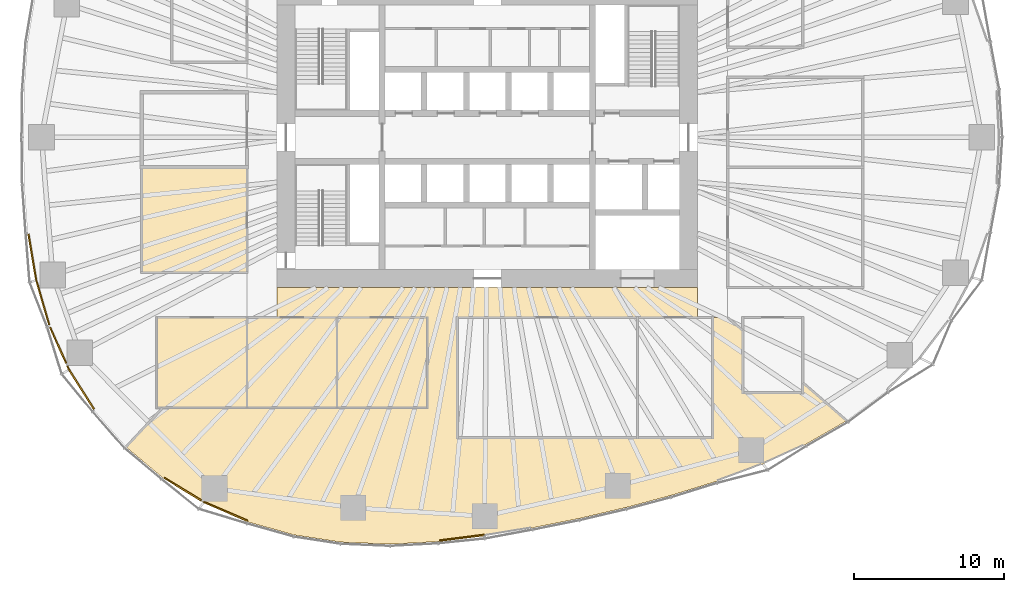
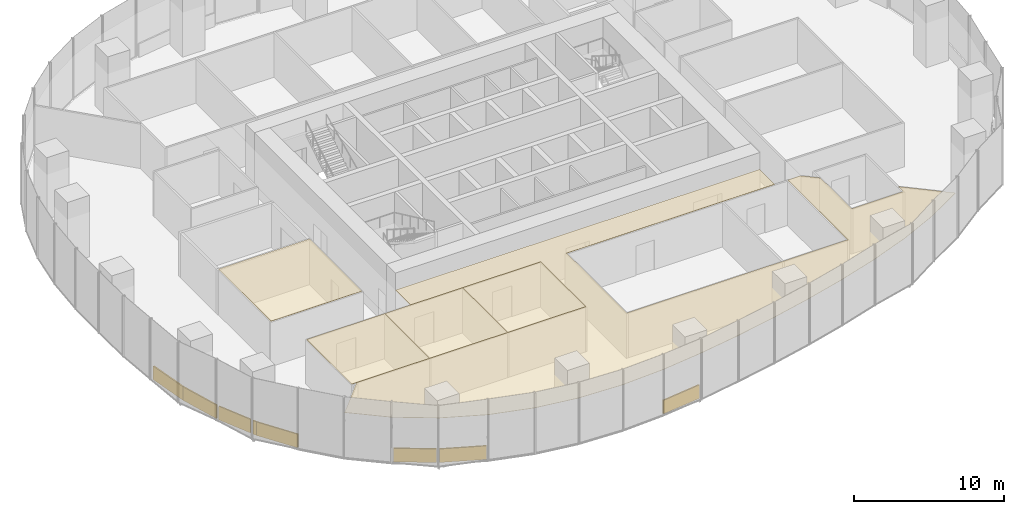
# One storey, part 17 of 20: 13 coverings.
"""IFC4 building model written with IfcOpenShell, lengths in metres."""

from ifc_helpers import new_model, si_unit, direction, frame, origin, origin_2d, place, context, subcontext, project, spatial, polyline, rectangle, outline, extrude, material, layer, layer_set, type_object, element, save


model = new_model("IFC4")

# Units and contexts
model_context = context("Model", 3, precision=1e-05, world=origin(), true_north=direction((0.0, 1.0)))
body_context = subcontext(model_context, "Body", "Model", "MODEL_VIEW")
ifc_project = project(units=[si_unit("LENGTHUNIT", "METRE"), si_unit("AREAUNIT", "SQUARE_METRE"), si_unit("VOLUMEUNIT", "CUBIC_METRE"), si_unit("PLANEANGLEUNIT", "RADIAN"), si_unit("MASSUNIT", "GRAM", prefix="KILO")], contexts=[model_context])

# Site, building, storey
site_placement = place(None, origin())
site = spatial("IfcSite", under=ifc_project, at=site_placement, CompositionType="ELEMENT")
building_placement = place(site_placement, origin())
building = spatial("IfcBuilding", under=site, at=building_placement, Name="Ghaith Harvest Tower", CompositionType="ELEMENT")
storey_placement = place(building_placement, frame((0.0, 0.0, 90.0)))
storey = spatial("IfcBuildingStorey", under=building, at=storey_placement, Name="L18", CompositionType="ELEMENT", Elevation=90.0)

# Coverings
ifc_material_1 = material(Name="Mineral fibre ceiling tile", Category="gypsum")
ifc_layer_1 = layer(ifc_material_1, 0.02490234375)
ifc_layer_set_1 = layer_set([ifc_layer_1], Name="CEILING C2")
covering_type_1 = type_object("IfcCoveringType", Name="CEILING C2", PredefinedType="CEILING", material=ifc_layer_set_1)
covering_1_placement = place(storey_placement, frame((0.0, 0.0, 3.60009765625)))
element("IfcCovering", 1, at=covering_1_placement, inside=storey, type_object=covering_type_1, Name="Ceiling L18-03", PredefinedType="CEILING", context=body_context, shape_type="SweptSolid", body=[
    extrude(outline(polyline([(-22.0, -18.0), (-16.0, -18.0), (-16.0, -12.0), (-22.0, -12.0), (-22.0, -18.0)])), origin(), (0.0, 0.0, 1.0), 0.02490234375),
])
covering_2_placement = place(storey_placement, frame((0.0, 0.0, 3.60009765625)))
element("IfcCovering", 2, at=covering_2_placement, inside=storey, type_object=covering_type_1, Name="Ceiling L18-04", PredefinedType="CEILING", context=body_context, shape_type="SweptSolid", body=[
    extrude(outline(polyline([(-16.0, -18.0), (-10.0, -18.0), (-10.0, -12.0), (-16.0, -12.0), (-16.0, -18.0)])), origin(), (0.0, 0.0, 1.0), 0.02490234375),
])
covering_3_placement = place(storey_placement, frame((0.0, 0.0, 3.60009765625)))
element("IfcCovering", 3, at=covering_3_placement, inside=storey, type_object=covering_type_1, Name="Ceiling L18-05", PredefinedType="CEILING", context=body_context, shape_type="SweptSolid", body=[
    extrude(outline(polyline([(-10.0, -18.0), (-4.0, -18.0), (-4.0, -12.0), (-10.0, -12.0), (-10.0, -18.0)])), origin(), (0.0, 0.0, 1.0), 0.02490234375),
])
covering_4_placement = place(storey_placement, frame((0.0, 0.0, 3.60009765625)))
element("IfcCovering", 4, at=covering_4_placement, inside=storey, type_object=covering_type_1, Name="Ceiling L18-13", PredefinedType="CEILING", context=body_context, shape_type="SweptSolid", body=[
    extrude(outline(polyline([(-23.0, -9.0), (-16.0, -9.0), (-16.0, -2.0), (-23.0, -2.0), (-23.0, -9.0)])), origin(), (0.0, 0.0, 1.0), 0.02490234375),
])
covering_5_placement = place(storey_placement, frame((0.0, 0.0, 3.60009765625)))
element("IfcCovering", 5, at=covering_5_placement, inside=storey, type_object=covering_type_1, Name="Ceiling L18-S1", PredefinedType="CEILING", context=body_context, shape_type="SweptSolid", body=[
    extrude(outline(polyline([(-21.59912109375, -22.671142578125), (-24.04833984375, -20.618408203125), (-21.60302734375, -18.0), (-4.0, -18.0), (-4.0, -12.0), (-14.0, -12.0), (-14.0, -10.0), (14.0, -10.0), (14.0, -12.0), (-2.0, -12.0), (-2.0, -20.0), (15.0, -20.0), (15.0, -12.0), (16.0, -12.0), (17.0, -12.8671875), (17.0, -17.0), (21.0, -17.0), (21.0, -16.336669921875), (23.92431640625, -18.873046875), (21.149169921875, -20.469482421875), (18.34521484375, -21.7548828125), (15.22119140625, -22.916259765625), (12.1796875, -23.857666015625), (9.21533203125, -24.65087890625), (6.10888671875, -25.378662109375), (2.99560546875, -26.004150390625), (-0.181396484375, -26.527099609375), (-3.24755859375, -26.91064453125), (-6.4375, -27.0849609375), (-9.733642578125, -26.949951171875), (-12.828125, -26.476806640625), (-15.907958984375, -25.614501953125), (-18.8935546875, -24.32763671875), (-21.59912109375, -22.671142578125)])), origin(), (0.0, 0.0, 1.0), 0.02490234375),
])
ifc_material_2 = material(Name="Insulated aluminium spandrel panel on steel framing", Category="steel")
ifc_layer_2 = layer(ifc_material_2, 0.10009765625)
ifc_layer_set_2 = layer_set([ifc_layer_2], Name="SLAB EDGE UPSTAND 1100x100")
covering_type_2 = type_object("IfcCoveringType", Name="SLAB EDGE UPSTAND 1100x100", PredefinedType="CLADDING", material=ifc_layer_set_2)
covering_6_placement = place(storey_placement, frame((-30.28271484375, -7.982177734375, 0.0), z_axis=(0.0, 0.0, 1.0), x_axis=(0.165246181786, -0.986252350773, 0.0)))
element("IfcCovering", 6, at=covering_6_placement, inside=storey, type_object=covering_type_2, Name="Slab edge upstand 3 bay 11 L18", PredefinedType="CLADDING", context=body_context, shape_type="SweptSolid", body=[
    extrude(rectangle(XDim=3.124267578125, YDim=0.10009765625, at=origin_2d()), origin(), (0.0, 0.0, 1.0), 1.10009765625),
])
covering_7_placement = place(storey_placement, frame((-29.593994140625, -10.997314453125, 0.0), z_axis=(0.0, 0.0, 1.0), x_axis=(0.280032411303, -0.95999054611, 0.0)))
element("IfcCovering", 7, at=covering_7_placement, inside=storey, type_object=covering_type_2, Name="Slab edge upstand 1 bay 12 L18", PredefinedType="CLADDING", context=body_context, shape_type="SweptSolid", body=[
    extrude(rectangle(XDim=3.084228515625, YDim=0.10009765625, at=origin_2d()), origin(), (0.0, 0.0, 1.0), 1.10009765625),
])
covering_8_placement = place(storey_placement, frame((-28.56689453125, -13.84619140625, 0.0), z_axis=(0.0, 0.0, 1.0), x_axis=(0.407003427802, -0.913426630747, 0.0)))
element("IfcCovering", 8, at=covering_8_placement, inside=storey, type_object=covering_type_2, Name="Slab edge upstand 2 bay 12 L18", PredefinedType="CLADDING", context=body_context, shape_type="SweptSolid", body=[
    extrude(rectangle(XDim=2.60009765625, YDim=0.10009765625, at=origin_2d()), origin(), (0.0, 0.0, 1.0), 1.10009765625),
])
covering_9_placement = place(storey_placement, frame((-27.89501953125, -15.35400390625, 0.0), z_axis=(0.0, 0.0, 1.0), x_axis=(0.407003427802, -0.913426630747, 0.0)))
element("IfcCovering", 9, at=covering_9_placement, inside=storey, type_object=covering_type_2, Name="Slab edge upstand 2 bay 12 L18", PredefinedType="CLADDING", context=body_context, shape_type="SweptSolid", body=[
    extrude(rectangle(XDim=0.29052734375, YDim=0.10009765625, at=origin_2d()), origin(), (0.0, 0.0, 1.0), 1.10009765625),
])
covering_10_placement = place(storey_placement, frame((-27.0078125, -16.787353515625, 0.0), z_axis=(0.0, 0.0, 1.0), x_axis=(0.536807372204, -0.843704832952, 0.0)))
element("IfcCovering", 10, at=covering_10_placement, inside=storey, type_object=covering_type_2, Name="Slab edge upstand 3 bay 12 L18", PredefinedType="CLADDING", context=body_context, shape_type="SweptSolid", body=[
    extrude(rectangle(XDim=3.098388671875, YDim=0.10009765625, at=origin_2d()), origin(), (0.0, 0.0, 1.0), 1.10009765625),
])
covering_11_placement = place(storey_placement, frame((-20.265869140625, -23.4287109375, 0.0), z_axis=(0.0, 0.0, 1.0), x_axis=(0.852846651269, -0.522161459148, 0.0)))
element("IfcCovering", 11, at=covering_11_placement, inside=storey, type_object=covering_type_2, Name="Slab edge upstand 3 bay 13 L18", PredefinedType="CLADDING", context=body_context, shape_type="SweptSolid", body=[
    extrude(rectangle(XDim=2.864990234375, YDim=0.10009765625, at=origin_2d()), origin(), (0.0, 0.0, 1.0), 1.10009765625),
])
covering_12_placement = place(storey_placement, frame((-17.421875, -24.907470703125, 0.0), z_axis=(0.0, 0.0, 1.0), x_axis=(0.918306928324, -0.395869151856, 0.0)))
element("IfcCovering", 12, at=covering_12_placement, inside=storey, type_object=covering_type_2, Name="Slab edge upstand 1 bay 14 L18", PredefinedType="CLADDING", context=body_context, shape_type="SweptSolid", body=[
    extrude(rectangle(XDim=3.140380859375, YDim=0.10009765625, at=origin_2d()), origin(), (0.0, 0.0, 1.0), 1.10009765625),
])
covering_13_placement = place(storey_placement, frame((-1.671142578125, -26.6630859375, 0.0), z_axis=(0.0, 0.0, 1.0), x_axis=(0.992264868881, 0.124138752952, 0.0)))
element("IfcCovering", 13, at=covering_13_placement, inside=storey, type_object=covering_type_2, Name="Slab edge upstand 3 bay 15 L18", PredefinedType="CLADDING", context=body_context, shape_type="SweptSolid", body=[
    extrude(rectangle(XDim=2.98974609375, YDim=0.10009765625, at=origin_2d()), origin(), (0.0, 0.0, 1.0), 1.10009765625),
])

save(model, "model.ifc")
